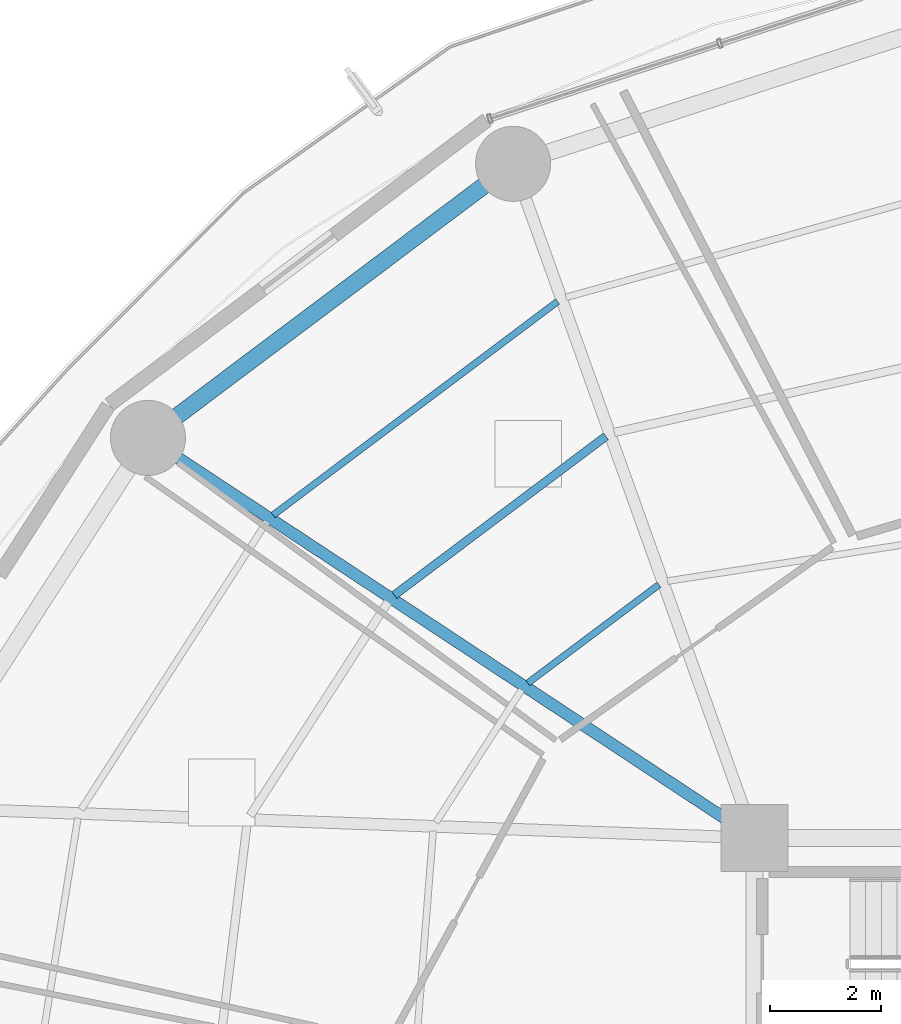
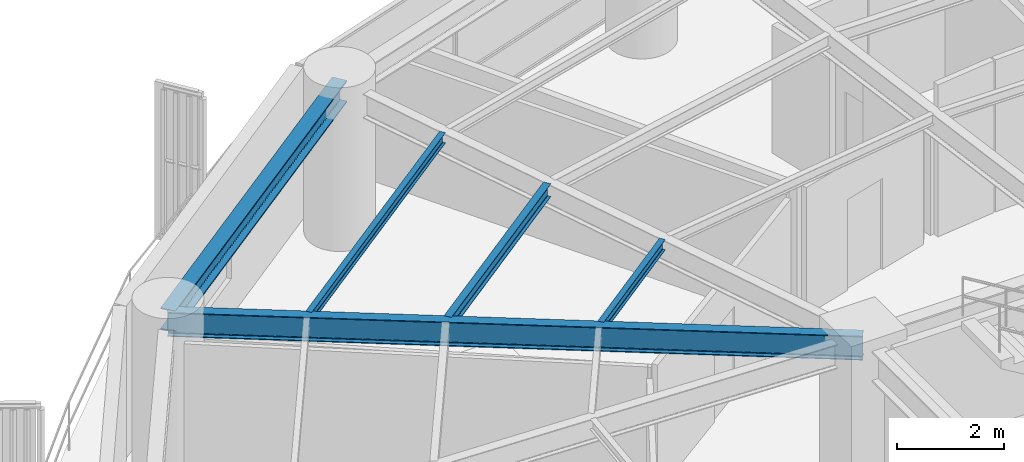
# One storey, part 19 of 35: 5 beams.
"""IFC4 building model written with IfcOpenShell, lengths in metres."""

from ifc_helpers import new_model, si_unit, direction, frame, origin, origin_2d, place, context, subcontext, project, spatial, i_section, extrude, material, material_profile, profile_set, type_object, element, save


model = new_model("IFC4")

# Units and contexts
model_context = context("Model", 3, precision=1e-05, world=origin(), true_north=direction((0.0, 1.0)))
body_context = subcontext(model_context, "Body", "Model", "MODEL_VIEW")
ifc_project = project(units=[si_unit("LENGTHUNIT", "METRE"), si_unit("AREAUNIT", "SQUARE_METRE"), si_unit("VOLUMEUNIT", "CUBIC_METRE"), si_unit("PLANEANGLEUNIT", "RADIAN"), si_unit("MASSUNIT", "GRAM", prefix="KILO")], contexts=[model_context])

# Site, building, storey
site_placement = place(None, origin())
site = spatial("IfcSite", under=ifc_project, at=site_placement, CompositionType="ELEMENT")
building_placement = place(site_placement, origin())
building = spatial("IfcBuilding", under=site, at=building_placement, Name="Kelanora Arch Commons", CompositionType="ELEMENT")
storey_placement = place(building_placement, frame((0.0, 0.0, 121.35009765625)))
storey = spatial("IfcBuildingStorey", under=building, at=storey_placement, Name="L31", CompositionType="ELEMENT", Elevation=121.35009765625)

# Beams
ifc_material = material(Name="Steel S355", Category="steel")
ifc_material_profile_1 = material_profile(ifc_material, i_section(OverallWidth=0.14990234375, OverallDepth=0.300048828125, WebThickness=0.007080078125, FlangeThickness=0.0107421875, FilletRadius=0.014892578125, at=origin_2d()), Name="IPE300")
ifc_profile_set_1 = profile_set([ifc_material_profile_1], Name="Steel S355")
beam_type_1 = type_object("IfcBeamType", Name="BM-JST-01", PredefinedType="JOIST", material=ifc_profile_set_1)
beam_1_placement = place(storey_placement, frame((63.327880859375, 72.22216796875, 3.33984375), z_axis=(-0.79971039107, -0.600385951214, 0.0), x_axis=(0.600385951214, -0.79971039107, 0.0)))
element("IfcBeam", 1, at=beam_1_placement, inside=storey, type_object=beam_type_1, Name="Secondary Chord Joist BJB-12 L31", PredefinedType="JOIST", context=body_context, shape_type="SweptSolid", body=[
    extrude(i_section(OverallWidth=0.14990234375, OverallDepth=0.300048828125, WebThickness=0.007080078125, FlangeThickness=0.0107421875, FilletRadius=0.014892578125, at=origin_2d()), origin(), (0.0, 0.0, 1.0), 4.756103515625),
])
ifc_material_profile_2 = material_profile(ifc_material, i_section(OverallWidth=0.1201171875, OverallDepth=0.239990234375, WebThickness=0.006103515625, FlangeThickness=0.009765625, FilletRadius=0.014892578125, at=origin_2d()), Name="IPE240")
ifc_profile_set_2 = profile_set([ifc_material_profile_2], Name="Steel S355")
beam_type_2 = type_object("IfcBeamType", Name="BM-JST-02", PredefinedType="JOIST", material=ifc_profile_set_2)
beam_2_placement = place(storey_placement, frame((64.28271484375, 69.555419921875, 3.369873046875), z_axis=(-0.799692034361, -0.600410401458, 0.0), x_axis=(0.600410401458, -0.799692034361, 0.0)))
element("IfcBeam", 2, at=beam_2_placement, inside=storey, type_object=beam_type_2, Name="Secondary Chord Joist BJA-12 L31", PredefinedType="JOIST", context=body_context, shape_type="SweptSolid", body=[
    extrude(i_section(OverallWidth=0.1201171875, OverallDepth=0.239990234375, WebThickness=0.006103515625, FlangeThickness=0.009765625, FilletRadius=0.014892578125, at=origin_2d()), origin(), (0.0, 0.0, 1.0), 2.949951171875),
])
beam_3_placement = place(storey_placement, frame((62.4599609375, 74.646484375, 3.369873046875), z_axis=(-0.799734335646, -0.600354055861, 0.0), x_axis=(0.600354055861, -0.799734335646, 0.0)))
element("IfcBeam", 3, at=beam_3_placement, inside=storey, type_object=beam_type_2, Name="Secondary Chord Joist BJC-12 L31", PredefinedType="JOIST", context=body_context, shape_type="SweptSolid", body=[
    extrude(i_section(OverallWidth=0.1201171875, OverallDepth=0.239990234375, WebThickness=0.006103515625, FlangeThickness=0.009765625, FilletRadius=0.014892578125, at=origin_2d()), origin(), (0.0, 0.0, 1.0), 6.39794921875),
])
ifc_material_profile_3 = material_profile(ifc_material, i_section(OverallWidth=0.2099609375, OverallDepth=0.550048828125, WebThickness=0.010986328125, FlangeThickness=0.01708984375, FilletRadius=0.02392578125, at=origin_2d()), Name="IPE550")
ifc_profile_set_3 = profile_set([ifc_material_profile_3], Name="Steel S355")
beam_type_3 = type_object("IfcBeamType", Name="BM-RAD-Z2", PredefinedType="BEAM", material=ifc_profile_set_3)
beam_4_placement = place(storey_placement, frame((66.0, 65.0, 3.21484375), z_axis=(-0.834788577908, 0.550570640512, 0.0), x_axis=(-0.550570640512, -0.834788577908, 0.0)))
element("IfcBeam", 4, at=beam_4_placement, inside=storey, type_object=beam_type_3, Name="Radial Floor Girder BR-14 L31", PredefinedType="BEAM", context=body_context, shape_type="SweptSolid", body=[
    extrude(i_section(OverallWidth=0.2099609375, OverallDepth=0.550048828125, WebThickness=0.010986328125, FlangeThickness=0.01708984375, FilletRadius=0.02392578125, at=origin_2d()), origin(), (0.0, 0.0, 1.0), 13.064453125),
])
ifc_material_profile_4 = material_profile(ifc_material, i_section(OverallWidth=0.300048828125, OverallDepth=0.5, WebThickness=0.014404296875, FlangeThickness=0.028076171875, FilletRadius=0.027099609375, at=origin_2d()), Name="HEB500")
ifc_profile_set_4 = profile_set([ifc_material_profile_4], Name="Steel S355")
beam_type_4 = type_object("IfcBeamType", Name="BM-SPN-Z2", PredefinedType="SPANDREL", material=ifc_profile_set_4)
beam_5_placement = place(storey_placement, frame((61.659912109375, 77.121826171875, 3.239990234375), z_axis=(-0.799735861602, -0.600352023123, 0.0), x_axis=(0.600352023123, -0.799735861602, 0.0)))
element("IfcBeam", 5, at=beam_5_placement, inside=storey, type_object=beam_type_4, Name="Perimeter Spandrel Beam BS-12 L31", PredefinedType="SPANDREL", context=body_context, shape_type="SweptSolid", body=[
    extrude(i_section(OverallWidth=0.300048828125, OverallDepth=0.5, WebThickness=0.014404296875, FlangeThickness=0.028076171875, FilletRadius=0.027099609375, at=origin_2d()), origin(), (0.0, 0.0, 1.0), 8.210205078125),
])

save(model, "model.ifc")
